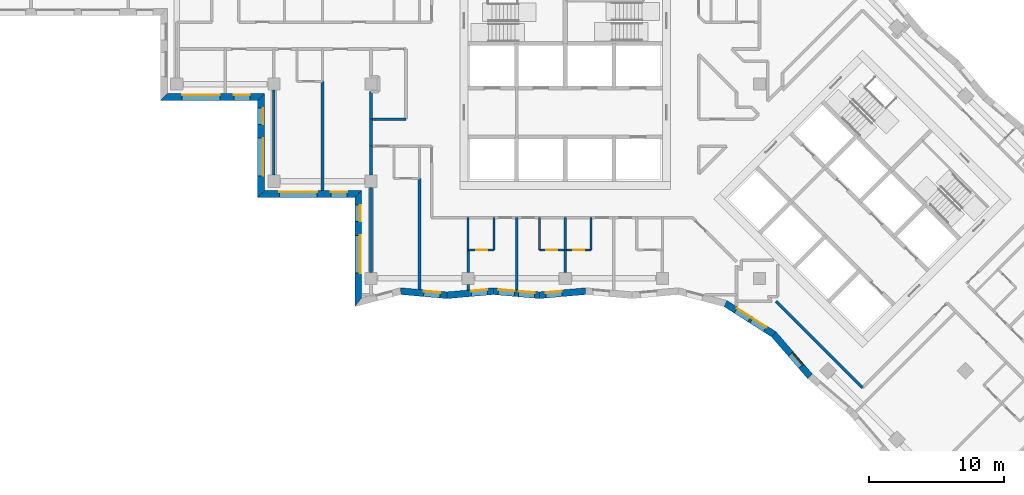
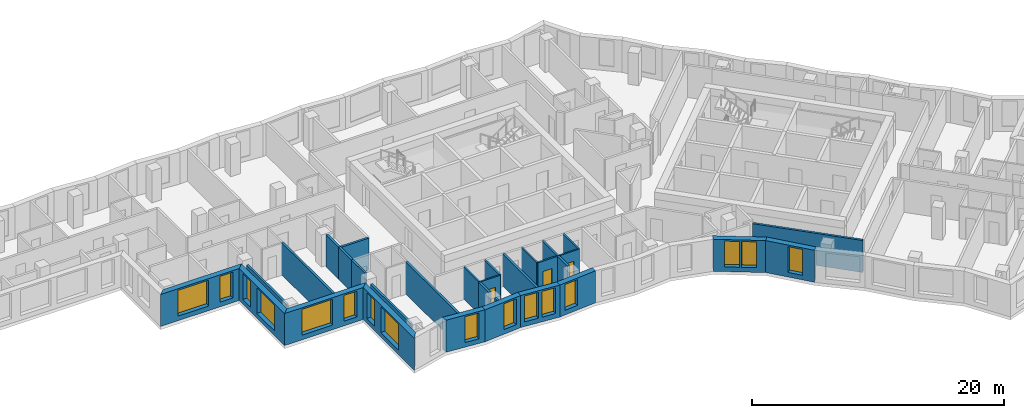
# One storey, part 2 of 12: 30 walls, 16 windows, 3 doors, 19 openings.
"""IFC4 building model written with IfcOpenShell, lengths in metres."""

from ifc_helpers import new_model, si_unit, direction, frame, frame_2d, origin, place, context, subcontext, project, spatial, polyline, rectangle, outline, extrude, material, layer, layer_set, type_object, element, fill, save


model = new_model("IFC4")

# Units and contexts
model_context = context("Model", 3, precision=1e-05, world=origin(), true_north=direction((0.0, 1.0)))
body_context = subcontext(model_context, "Body", "Model", "MODEL_VIEW")
ifc_project = project(units=[si_unit("LENGTHUNIT", "METRE"), si_unit("AREAUNIT", "SQUARE_METRE"), si_unit("VOLUMEUNIT", "CUBIC_METRE"), si_unit("PLANEANGLEUNIT", "RADIAN"), si_unit("MASSUNIT", "GRAM", prefix="KILO")], contexts=[model_context])

# Site, building, storey
site_placement = place(None, origin())
site = spatial("IfcSite", under=ifc_project, at=site_placement, CompositionType="ELEMENT")
building_placement = place(site_placement, origin())
building = spatial("IfcBuilding", under=site, at=building_placement, Name="Windrow Commons", CompositionType="ELEMENT")
storey_placement = place(building_placement, frame((0.0, 0.0, 135.4)))
storey = spatial("IfcBuildingStorey", under=building, at=storey_placement, Name="L36", CompositionType="ELEMENT", Elevation=135.4)

# Wall, openings, windows
ifc_material_1 = material(Name="Brick masonry, red clay brick", Category="masonry")
ifc_layer_1 = layer(ifc_material_1, 0.5)
ifc_layer_set_1 = layer_set([ifc_layer_1], Name="Brick facade wall 500")
wall_type_1 = type_object("IfcWallType", Name="Brick facade wall 500", PredefinedType="SOLIDWALL", material=ifc_layer_set_1)
wall_1_placement = place(storey_placement, frame((35.05, 56.65, 0.0), z_axis=(0.0, 0.0, 1.0), x_axis=(1.0, 0.0, 0.0)))
wall_1 = element("IfcWall", 1, at=wall_1_placement, inside=storey, type_object=wall_type_1, Name="Brick facade wall L36 38", PredefinedType="SOLIDWALL", context=body_context, shape_type="SweptSolid", body=[
    extrude(outline(polyline([(-0.25, -0.25), (6.95, -0.25), (7.45, 0.25), (0.25, 0.25), (-0.25, -0.25)])), origin(), (0.0, 0.0, 1.0), 3.1),
])
opening_1_placement = place(wall_1_placement, frame((1.35, 0.0, 0.45)))
opening_1 = element("IfcOpeningElement", 2, at=opening_1_placement, cuts=wall_1, Name="Opening W1U", PredefinedType="OPENING", context=body_context, shape_type="SweptSolid", body=[
    extrude(rectangle(XDim=2.8, YDim=2.5, at=frame_2d((1.4, 1.25))), frame((0.0, 0.26, 0.0), z_axis=(0.0, -1.0, 0.0), x_axis=(1.0, 0.0, 0.0)), (0.0, 0.0, 1.0), 0.52),
])
opening_2_placement = place(wall_1_placement, frame((5.175, 0.0, 0.45)))
opening_2 = element("IfcOpeningElement", 3, at=opening_2_placement, cuts=wall_1, Name="Opening W7E", PredefinedType="OPENING", context=body_context, shape_type="SweptSolid", body=[
    extrude(rectangle(XDim=1.2, YDim=2.5, at=frame_2d((0.6, 1.25))), frame((0.0, 0.26, 0.0), z_axis=(0.0, -1.0, 0.0), x_axis=(1.0, 0.0, 0.0)), (0.0, 0.0, 1.0), 0.52),
])
ifc_material_2 = material(Name="Clear float glass in anodised aluminium frame", Category="aluminium")
window_type_1 = type_object("IfcWindowType", Name="Window W1U bedroom 2800x2500", PartitioningType="SINGLE_PANEL", PredefinedType="WINDOW", material=ifc_material_2)
window_1_placement = place(opening_1_placement, origin())
window_1 = element("IfcWindow", 4, at=window_1_placement, inside=storey, type_object=window_type_1, Name="Window L36 38.1", OverallHeight=2.5, OverallWidth=2.8, PartitioningType="SINGLE_PANEL", PredefinedType="WINDOW", context=body_context, shape_type="SweptSolid", body=[
    extrude(rectangle(XDim=2.8, YDim=2.5, at=frame_2d((1.4, 1.25))), frame((0.0, 0.18, 0.0), z_axis=(0.0, -1.0, 0.0), x_axis=(1.0, 0.0, 0.0)), (0.0, 0.0, 1.0), 0.06),
])
fill(opening_1, window_1)
ifc_material_3 = material(Name="Clear float glass in anodised aluminium frame", Category="aluminium")
window_type_2 = type_object("IfcWindowType", Name="Window W7 notch 1200x2500", PartitioningType="SINGLE_PANEL", PredefinedType="WINDOW", material=ifc_material_3)
window_2_placement = place(opening_2_placement, origin())
window_2 = element("IfcWindow", 5, at=window_2_placement, inside=storey, type_object=window_type_2, Name="Window L36 38.2", OverallHeight=2.5, OverallWidth=1.2, PartitioningType="SINGLE_PANEL", PredefinedType="WINDOW", context=body_context, shape_type="SweptSolid", body=[
    extrude(rectangle(XDim=1.2, YDim=2.5, at=frame_2d((0.6, 1.25))), frame((0.0, 0.18, 0.0), z_axis=(0.0, -1.0, 0.0), x_axis=(1.0, 0.0, 0.0)), (0.0, 0.0, 1.0), 0.06),
])
fill(opening_2, window_2)

wall_2_placement = place(storey_placement, frame((42.25, 56.65, 0.0), z_axis=(0.0, 0.0, 1.0), x_axis=(0.0, -1.0, 0.0)))
wall_2 = element("IfcWall", 6, at=wall_2_placement, inside=storey, type_object=wall_type_1, Name="Brick facade wall L36 39", PredefinedType="SOLIDWALL", context=body_context, shape_type="SweptSolid", body=[
    extrude(outline(polyline([(0.25, -0.25), (7.45, -0.25), (6.95, 0.25), (-0.25, 0.25), (0.25, -0.25)])), origin(), (0.0, 0.0, 1.0), 3.1),
])
opening_3_placement = place(wall_2_placement, frame((3.05, 0.0, 0.45)))
opening_3 = element("IfcOpeningElement", 7, at=opening_3_placement, cuts=wall_2, Name="Opening W1U", PredefinedType="OPENING", context=body_context, shape_type="SweptSolid", body=[
    extrude(rectangle(XDim=2.8, YDim=2.5, at=frame_2d((1.4, 1.25))), frame((0.0, 0.26, 0.0), z_axis=(0.0, -1.0, 0.0), x_axis=(1.0, 0.0, 0.0)), (0.0, 0.0, 1.0), 0.52),
])
opening_4_placement = place(wall_2_placement, frame((0.825, 0.0, 0.45)))
opening_4 = element("IfcOpeningElement", 8, at=opening_4_placement, cuts=wall_2, Name="Opening W7E", PredefinedType="OPENING", context=body_context, shape_type="SweptSolid", body=[
    extrude(rectangle(XDim=1.2, YDim=2.5, at=frame_2d((0.6, 1.25))), frame((0.0, 0.26, 0.0), z_axis=(0.0, -1.0, 0.0), x_axis=(1.0, 0.0, 0.0)), (0.0, 0.0, 1.0), 0.52),
])
window_3_placement = place(opening_3_placement, origin())
window_3 = element("IfcWindow", 9, at=window_3_placement, inside=storey, type_object=window_type_1, Name="Window L36 39.1", OverallHeight=2.5, OverallWidth=2.8, PartitioningType="SINGLE_PANEL", PredefinedType="WINDOW", context=body_context, shape_type="SweptSolid", body=[
    extrude(rectangle(XDim=2.8, YDim=2.5, at=frame_2d((1.4, 1.25))), frame((0.0, 0.18, 0.0), z_axis=(0.0, -1.0, 0.0), x_axis=(1.0, 0.0, 0.0)), (0.0, 0.0, 1.0), 0.06),
])
fill(opening_3, window_3)
window_4_placement = place(opening_4_placement, origin())
window_4 = element("IfcWindow", 10, at=window_4_placement, inside=storey, type_object=window_type_2, Name="Window L36 39.2", OverallHeight=2.5, OverallWidth=1.2, PartitioningType="SINGLE_PANEL", PredefinedType="WINDOW", context=body_context, shape_type="SweptSolid", body=[
    extrude(rectangle(XDim=1.2, YDim=2.5, at=frame_2d((0.6, 1.25))), frame((0.0, 0.18, 0.0), z_axis=(0.0, -1.0, 0.0), x_axis=(1.0, 0.0, 0.0)), (0.0, 0.0, 1.0), 0.06),
])
fill(opening_4, window_4)

wall_3_placement = place(storey_placement, frame((42.25, 49.45, 0.0), z_axis=(0.0, 0.0, 1.0), x_axis=(1.0, 0.0, 0.0)))
wall_3 = element("IfcWall", 11, at=wall_3_placement, inside=storey, type_object=wall_type_1, Name="Brick facade wall L36 40", PredefinedType="SOLIDWALL", context=body_context, shape_type="SweptSolid", body=[
    extrude(outline(polyline([(-0.25, -0.25), (6.95, -0.25), (7.45, 0.25), (0.25, 0.25), (-0.25, -0.25)])), origin(), (0.0, 0.0, 1.0), 3.1),
])
opening_5_placement = place(wall_3_placement, frame((1.35, 0.0, 0.45)))
opening_5 = element("IfcOpeningElement", 12, at=opening_5_placement, cuts=wall_3, Name="Opening W1U", PredefinedType="OPENING", context=body_context, shape_type="SweptSolid", body=[
    extrude(rectangle(XDim=2.8, YDim=2.5, at=frame_2d((1.4, 1.25))), frame((0.0, 0.26, 0.0), z_axis=(0.0, -1.0, 0.0), x_axis=(1.0, 0.0, 0.0)), (0.0, 0.0, 1.0), 0.52),
])
opening_6_placement = place(wall_3_placement, frame((5.175, 0.0, 0.45)))
opening_6 = element("IfcOpeningElement", 13, at=opening_6_placement, cuts=wall_3, Name="Opening W7E", PredefinedType="OPENING", context=body_context, shape_type="SweptSolid", body=[
    extrude(rectangle(XDim=1.2, YDim=2.5, at=frame_2d((0.6, 1.25))), frame((0.0, 0.26, 0.0), z_axis=(0.0, -1.0, 0.0), x_axis=(1.0, 0.0, 0.0)), (0.0, 0.0, 1.0), 0.52),
])
window_5_placement = place(opening_5_placement, origin())
window_5 = element("IfcWindow", 14, at=window_5_placement, inside=storey, type_object=window_type_1, Name="Window L36 40.1", OverallHeight=2.5, OverallWidth=2.8, PartitioningType="SINGLE_PANEL", PredefinedType="WINDOW", context=body_context, shape_type="SweptSolid", body=[
    extrude(rectangle(XDim=2.8, YDim=2.5, at=frame_2d((1.4, 1.25))), frame((0.0, 0.18, 0.0), z_axis=(0.0, -1.0, 0.0), x_axis=(1.0, 0.0, 0.0)), (0.0, 0.0, 1.0), 0.06),
])
fill(opening_5, window_5)
window_6_placement = place(opening_6_placement, origin())
window_6 = element("IfcWindow", 15, at=window_6_placement, inside=storey, type_object=window_type_2, Name="Window L36 40.2", OverallHeight=2.5, OverallWidth=1.2, PartitioningType="SINGLE_PANEL", PredefinedType="WINDOW", context=body_context, shape_type="SweptSolid", body=[
    extrude(rectangle(XDim=1.2, YDim=2.5, at=frame_2d((0.6, 1.25))), frame((0.0, 0.18, 0.0), z_axis=(0.0, -1.0, 0.0), x_axis=(1.0, 0.0, 0.0)), (0.0, 0.0, 1.0), 0.06),
])
fill(opening_6, window_6)

wall_4_placement = place(storey_placement, frame((49.45, 49.45, 0.0), z_axis=(0.0, 0.0, 1.0), x_axis=(0.0, -1.0, 0.0)))
wall_4 = element("IfcWall", 16, at=wall_4_placement, inside=storey, type_object=wall_type_1, Name="Brick facade wall L36 41", PredefinedType="SOLIDWALL", context=body_context, shape_type="SweptSolid", body=[
    extrude(outline(polyline([(0.25, -0.25), (8.35, -0.25), (7.7015, 0.25), (-0.25, 0.25), (0.25, -0.25)])), origin(), (0.0, 0.0, 1.0), 3.1),
])
opening_7_placement = place(wall_4_placement, frame((3.05, 0.0, 0.45)))
opening_7 = element("IfcOpeningElement", 17, at=opening_7_placement, cuts=wall_4, Name="Opening W1U", PredefinedType="OPENING", context=body_context, shape_type="SweptSolid", body=[
    extrude(rectangle(XDim=2.8, YDim=2.5, at=frame_2d((1.4, 1.25))), frame((0.0, 0.26, 0.0), z_axis=(0.0, -1.0, 0.0), x_axis=(1.0, 0.0, 0.0)), (0.0, 0.0, 1.0), 0.52),
])
opening_8_placement = place(wall_4_placement, frame((0.825, 0.0, 0.45)))
opening_8 = element("IfcOpeningElement", 18, at=opening_8_placement, cuts=wall_4, Name="Opening W7E", PredefinedType="OPENING", context=body_context, shape_type="SweptSolid", body=[
    extrude(rectangle(XDim=1.2, YDim=2.5, at=frame_2d((0.6, 1.25))), frame((0.0, 0.26, 0.0), z_axis=(0.0, -1.0, 0.0), x_axis=(1.0, 0.0, 0.0)), (0.0, 0.0, 1.0), 0.52),
])
window_7_placement = place(opening_7_placement, origin())
window_7 = element("IfcWindow", 19, at=window_7_placement, inside=storey, type_object=window_type_1, Name="Window L36 41.1", OverallHeight=2.5, OverallWidth=2.8, PartitioningType="SINGLE_PANEL", PredefinedType="WINDOW", context=body_context, shape_type="SweptSolid", body=[
    extrude(rectangle(XDim=2.8, YDim=2.5, at=frame_2d((1.4, 1.25))), frame((0.0, 0.18, 0.0), z_axis=(0.0, -1.0, 0.0), x_axis=(1.0, 0.0, 0.0)), (0.0, 0.0, 1.0), 0.06),
])
fill(opening_7, window_7)
window_8_placement = place(opening_8_placement, origin())
window_8 = element("IfcWindow", 20, at=window_8_placement, inside=storey, type_object=window_type_2, Name="Window L36 41.2", OverallHeight=2.5, OverallWidth=1.2, PartitioningType="SINGLE_PANEL", PredefinedType="WINDOW", context=body_context, shape_type="SweptSolid", body=[
    extrude(rectangle(XDim=1.2, YDim=2.5, at=frame_2d((0.6, 1.25))), frame((0.0, 0.18, 0.0), z_axis=(0.0, -1.0, 0.0), x_axis=(1.0, 0.0, 0.0)), (0.0, 0.0, 1.0), 0.06),
])
fill(opening_8, window_8)

# Wall, opening, window
wall_5_placement = place(storey_placement, frame((52.6014, 42.2528, 0.0), z_axis=(0.0, 0.0, 1.0), x_axis=(0.9961832879, -0.0872860633, 0.0)))
wall_5 = element("IfcWall", 21, at=wall_5_placement, inside=storey, type_object=wall_type_1, Name="Brick facade wall L36 43", PredefinedType="SOLIDWALL", context=body_context, shape_type="SweptSolid", body=[
    extrude(outline(polyline([(0.0435, -0.25), (3.4795, -0.25), (3.4357, 0.25), (-0.0435, 0.25), (0.0435, -0.25)])), origin(), (0.0, 0.0, 1.0), 3.1),
])
opening_9_placement = place(wall_5_placement, frame((1.7198, 0.0, 0.45)))
opening_9 = element("IfcOpeningElement", 22, at=opening_9_placement, cuts=wall_5, Name="Opening W7E", PredefinedType="OPENING", context=body_context, shape_type="SweptSolid", body=[
    extrude(rectangle(XDim=1.2, YDim=2.5, at=frame_2d((0.6, 1.25))), frame((0.0, 0.26, 0.0), z_axis=(0.0, -1.0, 0.0), x_axis=(1.0, 0.0, 0.0)), (0.0, 0.0, 1.0), 0.52),
])
window_9_placement = place(opening_9_placement, origin())
window_9 = element("IfcWindow", 23, at=window_9_placement, inside=storey, type_object=window_type_2, Name="Window L36 43.1", OverallHeight=2.5, OverallWidth=1.2, PartitioningType="SINGLE_PANEL", PredefinedType="WINDOW", context=body_context, shape_type="SweptSolid", body=[
    extrude(rectangle(XDim=1.2, YDim=2.5, at=frame_2d((0.6, 1.25))), frame((0.0, 0.18, 0.0), z_axis=(0.0, -1.0, 0.0), x_axis=(1.0, 0.0, 0.0)), (0.0, 0.0, 1.0), 0.06),
])
fill(opening_9, window_9)

wall_6_placement = place(storey_placement, frame((56.0458, 41.951, 0.0), z_axis=(0.0, 0.0, 1.0), x_axis=(0.996181166, 0.0873102778, 0.0)))
wall_6 = element("IfcWall", 24, at=wall_6_placement, inside=storey, type_object=wall_type_1, Name="Brick facade wall L36 44", PredefinedType="SOLIDWALL", context=body_context, shape_type="SweptSolid", body=[
    extrude(outline(polyline([(-0.0219, -0.25), (3.4141, -0.25), (3.4579, 0.25), (0.0219, 0.25), (-0.0219, -0.25)])), origin(), (0.0, 0.0, 1.0), 3.1),
])
opening_10_placement = place(wall_6_placement, frame((1.7981, 0.0, 0.45)))
opening_10 = element("IfcOpeningElement", 25, at=opening_10_placement, cuts=wall_6, Name="Opening W7E", PredefinedType="OPENING", context=body_context, shape_type="SweptSolid", body=[
    extrude(rectangle(XDim=1.2, YDim=2.5, at=frame_2d((0.6, 1.25))), frame((0.0, 0.26, 0.0), z_axis=(0.0, -1.0, 0.0), x_axis=(1.0, 0.0, 0.0)), (0.0, 0.0, 1.0), 0.52),
])
window_10_placement = place(opening_10_placement, origin())
window_10 = element("IfcWindow", 26, at=window_10_placement, inside=storey, type_object=window_type_2, Name="Window L36 44.1", OverallHeight=2.5, OverallWidth=1.2, PartitioningType="SINGLE_PANEL", PredefinedType="WINDOW", context=body_context, shape_type="SweptSolid", body=[
    extrude(rectangle(XDim=1.2, YDim=2.5, at=frame_2d((0.6, 1.25))), frame((0.0, 0.18, 0.0), z_axis=(0.0, -1.0, 0.0), x_axis=(1.0, 0.0, 0.0)), (0.0, 0.0, 1.0), 0.06),
])
fill(opening_10, window_10)

# Wall, openings, windows
wall_7_placement = place(storey_placement, frame((59.4687, 42.251, 0.0), z_axis=(0.0, 0.0, 1.0), x_axis=(0.996181166, -0.0873102778, 0.0)))
wall_7 = element("IfcWall", 27, at=wall_7_placement, inside=storey, type_object=wall_type_1, Name="Brick facade wall L36 45", PredefinedType="SOLIDWALL", context=body_context, shape_type="SweptSolid", body=[
    extrude(outline(polyline([(0.0219, -0.25), (3.4579, -0.25), (3.4141, 0.25), (-0.0219, 0.25), (0.0219, -0.25)])), origin(), (0.0, 0.0, 1.0), 3.1),
])
opening_11_placement = place(wall_7_placement, frame((0.369, 0.0, 0.45)))
opening_11 = element("IfcOpeningElement", 28, at=opening_11_placement, cuts=wall_7, Name="Opening W7E", PredefinedType="OPENING", context=body_context, shape_type="SweptSolid", body=[
    extrude(rectangle(XDim=1.2, YDim=2.5, at=frame_2d((0.6, 1.25))), frame((0.0, 0.26, 0.0), z_axis=(0.0, -1.0, 0.0), x_axis=(1.0, 0.0, 0.0)), (0.0, 0.0, 1.0), 0.52),
])
opening_12_placement = place(wall_7_placement, frame((1.876, 0.0, 0.45)))
opening_12 = element("IfcOpeningElement", 29, at=opening_12_placement, cuts=wall_7, Name="Opening W7E", PredefinedType="OPENING", context=body_context, shape_type="SweptSolid", body=[
    extrude(rectangle(XDim=1.2, YDim=2.5, at=frame_2d((0.6, 1.25))), frame((0.0, 0.26, 0.0), z_axis=(0.0, -1.0, 0.0), x_axis=(1.0, 0.0, 0.0)), (0.0, 0.0, 1.0), 0.52),
])
window_11_placement = place(opening_11_placement, origin())
window_11 = element("IfcWindow", 30, at=window_11_placement, inside=storey, type_object=window_type_2, Name="Window L36 45.1", OverallHeight=2.5, OverallWidth=1.2, PartitioningType="SINGLE_PANEL", PredefinedType="WINDOW", context=body_context, shape_type="SweptSolid", body=[
    extrude(rectangle(XDim=1.2, YDim=2.5, at=frame_2d((0.6, 1.25))), frame((0.0, 0.18, 0.0), z_axis=(0.0, -1.0, 0.0), x_axis=(1.0, 0.0, 0.0)), (0.0, 0.0, 1.0), 0.06),
])
fill(opening_11, window_11)
window_12_placement = place(opening_12_placement, origin())
window_12 = element("IfcWindow", 31, at=window_12_placement, inside=storey, type_object=window_type_2, Name="Window L36 45.2", OverallHeight=2.5, OverallWidth=1.2, PartitioningType="SINGLE_PANEL", PredefinedType="WINDOW", context=body_context, shape_type="SweptSolid", body=[
    extrude(rectangle(XDim=1.2, YDim=2.5, at=frame_2d((0.6, 1.25))), frame((0.0, 0.18, 0.0), z_axis=(0.0, -1.0, 0.0), x_axis=(1.0, 0.0, 0.0)), (0.0, 0.0, 1.0), 0.06),
])
fill(opening_12, window_12)

# Wall, opening, window
wall_8_placement = place(storey_placement, frame((62.8916, 41.951, 0.0), z_axis=(0.0, 0.0, 1.0), x_axis=(0.9961809441, 0.0873128092, 0.0)))
wall_8 = element("IfcWall", 32, at=wall_8_placement, inside=storey, type_object=wall_type_1, Name="Brick facade wall L36 46", PredefinedType="SOLIDWALL", context=body_context, shape_type="SweptSolid", body=[
    extrude(outline(polyline([(-0.0219, -0.25), (3.4141, -0.25), (3.4579, 0.25), (0.0219, 0.25), (-0.0219, -0.25)])), origin(), (0.0, 0.0, 1.0), 3.1),
])
opening_13_placement = place(wall_8_placement, frame((0.4688, 0.0, 0.45)))
opening_13 = element("IfcOpeningElement", 33, at=opening_13_placement, cuts=wall_8, Name="Opening W7E", PredefinedType="OPENING", context=body_context, shape_type="SweptSolid", body=[
    extrude(rectangle(XDim=1.2, YDim=2.5, at=frame_2d((0.6, 1.25))), frame((0.0, 0.26, 0.0), z_axis=(0.0, -1.0, 0.0), x_axis=(1.0, 0.0, 0.0)), (0.0, 0.0, 1.0), 0.52),
])
window_13_placement = place(opening_13_placement, origin())
window_13 = element("IfcWindow", 34, at=window_13_placement, inside=storey, type_object=window_type_2, Name="Window L36 46.1", OverallHeight=2.5, OverallWidth=1.2, PartitioningType="SINGLE_PANEL", PredefinedType="WINDOW", context=body_context, shape_type="SweptSolid", body=[
    extrude(rectangle(XDim=1.2, YDim=2.5, at=frame_2d((0.6, 1.25))), frame((0.0, 0.18, 0.0), z_axis=(0.0, -1.0, 0.0), x_axis=(1.0, 0.0, 0.0)), (0.0, 0.0, 1.0), 0.06),
])
fill(opening_13, window_13)

# Wall, openings, windows
wall_9_placement = place(storey_placement, frame((76.6845, 41.3318, 0.0), z_axis=(0.0, 0.0, 1.0), x_axis=(0.8431951323, -0.5376076347, 0.0)))
wall_9 = element("IfcWall", 35, at=wall_9_placement, inside=storey, type_object=wall_type_1, Name="Brick facade wall L36 50", PredefinedType="SOLIDWALL", context=body_context, shape_type="SweptSolid", body=[
    extrude(outline(polyline([(0.0391, -0.25), (4.2043, -0.25), (4.2777, 0.25), (-0.0391, 0.25), (0.0391, -0.25)])), origin(), (0.0, 0.0, 1.0), 3.1),
])
opening_14_placement = place(wall_9_placement, frame((0.917, 0.0, 0.45)))
opening_14 = element("IfcOpeningElement", 36, at=opening_14_placement, cuts=wall_9, Name="Opening W7E", PredefinedType="OPENING", context=body_context, shape_type="SweptSolid", body=[
    extrude(rectangle(XDim=1.2, YDim=2.5, at=frame_2d((0.6, 1.25))), frame((0.0, 0.26, 0.0), z_axis=(0.0, -1.0, 0.0), x_axis=(1.0, 0.0, 0.0)), (0.0, 0.0, 1.0), 0.52),
])
opening_15_placement = place(wall_9_placement, frame((2.2875, 0.0, 0.45)))
opening_15 = element("IfcOpeningElement", 37, at=opening_15_placement, cuts=wall_9, Name="Opening W7E", PredefinedType="OPENING", context=body_context, shape_type="SweptSolid", body=[
    extrude(rectangle(XDim=1.2, YDim=2.5, at=frame_2d((0.6, 1.25))), frame((0.0, 0.26, 0.0), z_axis=(0.0, -1.0, 0.0), x_axis=(1.0, 0.0, 0.0)), (0.0, 0.0, 1.0), 0.52),
])
window_14_placement = place(opening_14_placement, origin())
window_14 = element("IfcWindow", 38, at=window_14_placement, inside=storey, type_object=window_type_2, Name="Window L36 50.1", OverallHeight=2.5, OverallWidth=1.2, PartitioningType="SINGLE_PANEL", PredefinedType="WINDOW", context=body_context, shape_type="SweptSolid", body=[
    extrude(rectangle(XDim=1.2, YDim=2.5, at=frame_2d((0.6, 1.25))), frame((0.0, 0.18, 0.0), z_axis=(0.0, -1.0, 0.0), x_axis=(1.0, 0.0, 0.0)), (0.0, 0.0, 1.0), 0.06),
])
fill(opening_14, window_14)
window_15_placement = place(opening_15_placement, origin())
window_15 = element("IfcWindow", 39, at=window_15_placement, inside=storey, type_object=window_type_2, Name="Window L36 50.2", OverallHeight=2.5, OverallWidth=1.2, PartitioningType="SINGLE_PANEL", PredefinedType="WINDOW", context=body_context, shape_type="SweptSolid", body=[
    extrude(rectangle(XDim=1.2, YDim=2.5, at=frame_2d((0.6, 1.25))), frame((0.0, 0.18, 0.0), z_axis=(0.0, -1.0, 0.0), x_axis=(1.0, 0.0, 0.0)), (0.0, 0.0, 1.0), 0.06),
])
fill(opening_15, window_15)

# Wall, opening, window
wall_10_placement = place(storey_placement, frame((80.2605, 39.0518, 0.0), z_axis=(0.0, 0.0, 1.0), x_axis=(0.6531786437, -0.7572038427, 0.0)))
wall_10 = element("IfcWall", 40, at=wall_10_placement, inside=storey, type_object=wall_type_1, Name="Brick facade wall L36 51", PredefinedType="SOLIDWALL", context=body_context, shape_type="SweptSolid", body=[
    extrude(outline(polyline([(0.0367, -0.25), (4.1145, -0.25), (4.0777, 0.25), (-0.0367, 0.25), (0.0367, -0.25)])), origin(), (0.0, 0.0, 1.0), 3.1),
])
opening_16_placement = place(wall_10_placement, frame((1.9165, 0.0, 0.45)))
opening_16 = element("IfcOpeningElement", 41, at=opening_16_placement, cuts=wall_10, Name="Opening W7E", PredefinedType="OPENING", context=body_context, shape_type="SweptSolid", body=[
    extrude(rectangle(XDim=1.2, YDim=2.5, at=frame_2d((0.6, 1.25))), frame((0.0, 0.26, 0.0), z_axis=(0.0, -1.0, 0.0), x_axis=(1.0, 0.0, 0.0)), (0.0, 0.0, 1.0), 0.52),
])
window_16_placement = place(opening_16_placement, origin())
window_16 = element("IfcWindow", 42, at=window_16_placement, inside=storey, type_object=window_type_2, Name="Window L36 51.1", OverallHeight=2.5, OverallWidth=1.2, PartitioningType="SINGLE_PANEL", PredefinedType="WINDOW", context=body_context, shape_type="SweptSolid", body=[
    extrude(rectangle(XDim=1.2, YDim=2.5, at=frame_2d((0.6, 1.25))), frame((0.0, 0.18, 0.0), z_axis=(0.0, -1.0, 0.0), x_axis=(1.0, 0.0, 0.0)), (0.0, 0.0, 1.0), 0.06),
])
fill(opening_16, window_16)

# Walls
ifc_material_4 = material(Name="Blockwork partition", Category="masonry")
ifc_layer_2 = layer(ifc_material_4, 0.2)
ifc_layer_set_2 = layer_set([ifc_layer_2], Name="IW-CORRIDOR-200")
wall_type_2 = type_object("IfcWallType", Name="IW-CORRIDOR-200", PredefinedType="PARTITIONING", material=ifc_layer_set_2)
wall_11_placement = place(storey_placement, frame((80.4227, 41.4967, 0.0), z_axis=(0.0, 0.0, 1.0), x_axis=(0.7071067812, -0.7071067812, 0.0)))
element("IfcWall", 43, at=wall_11_placement, inside=storey, type_object=wall_type_2, Name="W-L36-W009", PredefinedType="PARTITIONING", context=body_context, shape_type="SweptSolid", body=[
    extrude(rectangle(XDim=9.0651, YDim=0.2, at=frame_2d((4.5325, 0.0))), origin(), (0.0, 0.0, 1.0), 3.1),
])
wall_12_placement = place(storey_placement, frame((50.4, 55.0, 0.0), z_axis=(0.0, 0.0, 1.0), x_axis=(1.0, 0.0, 0.0)))
element("IfcWall", 44, at=wall_12_placement, inside=storey, type_object=wall_type_2, Name="W-L36-W058", PredefinedType="PARTITIONING", context=body_context, shape_type="SweptSolid", body=[
    extrude(rectangle(XDim=2.6, YDim=0.2, at=frame_2d((1.3, 0.0))), origin(), (0.0, 0.0, 1.0), 3.1),
])
wall_13_placement = place(storey_placement, frame((50.4, 53.0, 0.0), z_axis=(0.0, 0.0, 1.0), x_axis=(0.0, 1.0, 0.0)))
element("IfcWall", 45, at=wall_13_placement, inside=storey, type_object=wall_type_2, Name="W-L36-W108", PredefinedType="PARTITIONING", context=body_context, shape_type="SweptSolid", body=[
    extrude(rectangle(XDim=2.0, YDim=0.2, at=frame_2d((1.0, 0.0))), origin(), (0.0, 0.0, 1.0), 3.1),
])

# Wall, openings, doors
ifc_material_5 = material(Name="Blockwork partition", Category="masonry")
ifc_layer_3 = layer(ifc_material_5, 0.15)
ifc_layer_set_3 = layer_set([ifc_layer_3], Name="IW-ENSUITE-150")
wall_type_3 = type_object("IfcWallType", Name="IW-ENSUITE-150", PredefinedType="PARTITIONING", material=ifc_layer_set_3)
wall_14_placement = place(storey_placement, frame((62.9, 45.3, 0.0), z_axis=(0.0, 0.0, 1.0), x_axis=(1.0, 0.0, 0.0)))
wall_14 = element("IfcWall", 46, at=wall_14_placement, inside=storey, type_object=wall_type_3, Name="W-L36-W045", PredefinedType="PARTITIONING", context=body_context, shape_type="SweptSolid", body=[
    extrude(rectangle(XDim=3.8, YDim=0.15, at=frame_2d((1.9, 0.0))), origin(), (0.0, 0.0, 1.0), 3.1),
])
opening_17_placement = place(wall_14_placement, frame((2.5069, 0.0, 0.0)))
opening_17 = element("IfcOpeningElement", 47, at=opening_17_placement, cuts=wall_14, Name="Opening D208N", PredefinedType="OPENING", context=body_context, shape_type="SweptSolid", body=[
    extrude(rectangle(XDim=0.8, YDim=2.1, at=frame_2d((0.4, 1.05))), frame((0.0, 0.085, 0.0), z_axis=(0.0, -1.0, 0.0), x_axis=(1.0, 0.0, 0.0)), (0.0, 0.0, 1.0), 0.17),
])
opening_18_placement = place(wall_14_placement, frame((0.4931, 0.0, 0.0)))
opening_18 = element("IfcOpeningElement", 48, at=opening_18_placement, cuts=wall_14, Name="Opening D208N", PredefinedType="OPENING", context=body_context, shape_type="SweptSolid", body=[
    extrude(rectangle(XDim=0.8, YDim=2.1, at=frame_2d((0.4, 1.05))), frame((0.0, 0.085, 0.0), z_axis=(0.0, -1.0, 0.0), x_axis=(1.0, 0.0, 0.0)), (0.0, 0.0, 1.0), 0.17),
])
ifc_material_6 = material(Name="Timber door leaf", Category="wood")
door_type = type_object("IfcDoorType", Name="DT-ENSUITE-800", OperationType="SINGLE_SWING_LEFT", PredefinedType="DOOR", material=ifc_material_6)
door_1_placement = place(opening_17_placement, origin())
door_1 = element("IfcDoor", 49, at=door_1_placement, inside=storey, type_object=door_type, Name="D-L36-D030", OperationType="SINGLE_SWING_RIGHT", OverallHeight=2.1, OverallWidth=0.8, PredefinedType="DOOR", context=body_context, shape_type="SweptSolid", body=[
    extrude(rectangle(XDim=0.8, YDim=2.1, at=frame_2d((0.4, 1.05))), frame((0.0, 0.025, 0.0), z_axis=(0.0, -1.0, 0.0), x_axis=(1.0, 0.0, 0.0)), (0.0, 0.0, 1.0), 0.05),
])
fill(opening_17, door_1)
door_2_placement = place(opening_18_placement, origin())
door_2 = element("IfcDoor", 50, at=door_2_placement, inside=storey, type_object=door_type, Name="D-L36-D034", OperationType="SINGLE_SWING_RIGHT", OverallHeight=2.1, OverallWidth=0.8, PredefinedType="DOOR", context=body_context, shape_type="SweptSolid", body=[
    extrude(rectangle(XDim=0.8, YDim=2.1, at=frame_2d((0.4, 1.05))), frame((0.0, 0.025, 0.0), z_axis=(0.0, -1.0, 0.0), x_axis=(1.0, 0.0, 0.0)), (0.0, 0.0, 1.0), 0.05),
])
fill(opening_18, door_2)

# Walls
for number, where, z_axis, x_axis, name in (
    (51, (59.5, 45.3, 0.0), (0.0, 0.0, 1.0), (0.0, 1.0, 0.0), "W-L36-W067"),
    (52, (57.6, 45.3, 0.0), (0.0, 0.0, 1.0), (0.0, 1.0, 0.0), "W-L36-W068"),
    (53, (62.9, 45.3, 0.0), (0.0, 0.0, 1.0), (0.0, 1.0, 0.0), "W-L36-W069"),
    (54, (66.7, 45.3, 0.0), (0.0, 0.0, 1.0), (0.0, 1.0, 0.0), "W-L36-W070"),
    (55, (64.8, 45.3, 0.0), (0.0, 0.0, 1.0), (0.0, 1.0, 0.0), "W-L36-W071"),
):
    element("IfcWall", number, at=place(storey_placement, frame(where, z_axis=z_axis, x_axis=x_axis)), inside=storey, type_object=wall_type_3, Name=name, PredefinedType="PARTITIONING", context=body_context, shape_type="SweptSolid", body=[
        extrude(rectangle(XDim=2.4, YDim=0.15, at=frame_2d((1.2, 0.0))), origin(), (0.0, 0.0, 1.0), 3.1),
    ])

# Wall, opening, door
wall_15_placement = place(storey_placement, frame((57.6, 45.3, 0.0), z_axis=(0.0, 0.0, 1.0), x_axis=(1.0, 0.0, 0.0)))
wall_15 = element("IfcWall", 56, at=wall_15_placement, inside=storey, type_object=wall_type_3, Name="W-L36-W124", PredefinedType="PARTITIONING", context=body_context, shape_type="SweptSolid", body=[
    extrude(rectangle(XDim=1.9, YDim=0.15, at=frame_2d((0.95, 0.0))), origin(), (0.0, 0.0, 1.0), 3.1),
])
opening_19_placement = place(wall_15_placement, frame((0.6069, 0.0, 0.0)))
opening_19 = element("IfcOpeningElement", 57, at=opening_19_placement, cuts=wall_15, Name="Opening D208N", PredefinedType="OPENING", context=body_context, shape_type="SweptSolid", body=[
    extrude(rectangle(XDim=0.8, YDim=2.1, at=frame_2d((0.4, 1.05))), frame((0.0, 0.085, 0.0), z_axis=(0.0, -1.0, 0.0), x_axis=(1.0, 0.0, 0.0)), (0.0, 0.0, 1.0), 0.17),
])
door_3_placement = place(opening_19_placement, origin())
door_3 = element("IfcDoor", 58, at=door_3_placement, inside=storey, type_object=door_type, Name="D-L36-D028", OperationType="SINGLE_SWING_RIGHT", OverallHeight=2.1, OverallWidth=0.8, PredefinedType="DOOR", context=body_context, shape_type="SweptSolid", body=[
    extrude(rectangle(XDim=0.8, YDim=2.1, at=frame_2d((0.4, 1.05))), frame((0.0, 0.025, 0.0), z_axis=(0.0, -1.0, 0.0), x_axis=(1.0, 0.0, 0.0)), (0.0, 0.0, 1.0), 0.05),
])
fill(opening_19, door_3)

# Walls
ifc_material_7 = material(Name="Blockwork partition", Category="masonry")
ifc_layer_4 = layer(ifc_material_7, 0.2)
ifc_layer_set_4 = layer_set([ifc_layer_4], Name="IW-PARTY-200")
wall_type_4 = type_object("IfcWallType", Name="IW-PARTY-200", PredefinedType="PARTITIONING", material=ifc_layer_set_4)
wall_16_placement = place(storey_placement, frame((54.0, 42.3812, 0.0), z_axis=(0.0, 0.0, 1.0), x_axis=(0.0, 1.0, 0.0)))
element("IfcWall", 59, at=wall_16_placement, inside=storey, type_object=wall_type_4, Name="W-L36-W015", PredefinedType="PARTITIONING", context=body_context, shape_type="SweptSolid", body=[
    extrude(rectangle(XDim=8.2188, YDim=0.2, at=frame_2d((4.1094, 0.0))), origin(), (0.0, 0.0, 1.0), 3.1),
])
wall_17_placement = place(storey_placement, frame((46.8, 49.7, 0.0), z_axis=(0.0, 0.0, 1.0), x_axis=(0.0, 1.0, 0.0)))
element("IfcWall", 60, at=wall_17_placement, inside=storey, type_object=wall_type_4, Name="W-L36-W020", PredefinedType="PARTITIONING", context=body_context, shape_type="SweptSolid", body=[
    extrude(rectangle(XDim=8.1, YDim=0.2, at=frame_2d((4.05, 0.0))), origin(), (0.0, 0.0, 1.0), 3.1),
])
for number, where, z_axis, x_axis, name in (
    (61, (50.4, 43.65, 0.0), (0.0, 0.0, 1.0), (0.0, 1.0, 0.0), "W-L36-W021"),
    (62, (43.2, 50.85, 0.0), (0.0, 0.0, 1.0), (0.0, 1.0, 0.0), "W-L36-W024"),
):
    element("IfcWall", number, at=place(storey_placement, frame(where, z_axis=z_axis, x_axis=x_axis)), inside=storey, type_object=wall_type_4, Name=name, PredefinedType="PARTITIONING", context=body_context, shape_type="SweptSolid", body=[
        extrude(rectangle(XDim=6.3, YDim=0.2, at=frame_2d((3.15, 0.0))), origin(), (0.0, 0.0, 1.0), 2.6),
    ])
wall_18_placement = place(storey_placement, frame((61.2, 42.3502, 0.0), z_axis=(0.0, 0.0, 1.0), x_axis=(0.0, 1.0, 0.0)))
element("IfcWall", 63, at=wall_18_placement, inside=storey, type_object=wall_type_4, Name="W-L36-W031", PredefinedType="PARTITIONING", context=body_context, shape_type="SweptSolid", body=[
    extrude(rectangle(XDim=5.3498, YDim=0.2, at=frame_2d((2.6749, 0.0))), origin(), (0.0, 0.0, 1.0), 3.1),
])
wall_19_placement = place(storey_placement, frame((50.4, 50.85, 0.0), z_axis=(0.0, 0.0, 1.0), x_axis=(0.0, 1.0, 0.0)))
element("IfcWall", 64, at=wall_19_placement, inside=storey, type_object=wall_type_4, Name="W-L36-W099", PredefinedType="PARTITIONING", context=body_context, shape_type="SweptSolid", body=[
    extrude(rectangle(XDim=2.15, YDim=0.2, at=frame_2d((1.075, 0.0))), origin(), (0.0, 0.0, 1.0), 3.1),
])
wall_20_placement = place(storey_placement, frame((50.4, 55.0, 0.0), z_axis=(0.0, 0.0, 1.0), x_axis=(0.0, 1.0, 0.0)))
element("IfcWall", 65, at=wall_20_placement, inside=storey, type_object=wall_type_4, Name="W-L36-W104", PredefinedType="PARTITIONING", context=body_context, shape_type="SweptSolid", body=[
    extrude(rectangle(XDim=2.044, YDim=0.2, at=frame_2d((1.022, 0.0))), origin(), (0.0, 0.0, 1.0), 3.1),
])
for number, where, z_axis, x_axis, name in (
    (66, (57.6, 43.65, 0.0), (0.0, 0.0, 1.0), (0.0, 1.0, 0.0), "W-L36-W137"),
    (67, (64.8, 43.65, 0.0), (0.0, 0.0, 1.0), (0.0, 1.0, 0.0), "W-L36-W138"),
):
    element("IfcWall", number, at=place(storey_placement, frame(where, z_axis=z_axis, x_axis=x_axis)), inside=storey, type_object=wall_type_4, Name=name, PredefinedType="PARTITIONING", context=body_context, shape_type="SweptSolid", body=[
        extrude(rectangle(XDim=1.65, YDim=0.2, at=frame_2d((0.825, 0.0))), origin(), (0.0, 0.0, 1.0), 3.1),
    ])
wall_21_placement = place(storey_placement, frame((57.6, 42.3381, 0.0), z_axis=(0.0, 0.0, 1.0), x_axis=(0.0, 1.0, 0.0)))
element("IfcWall", 68, at=wall_21_placement, inside=storey, type_object=wall_type_4, Name="W-L36-W179", PredefinedType="PARTITIONING", context=body_context, shape_type="SweptSolid", body=[
    extrude(rectangle(XDim=0.4119, YDim=0.2, at=frame_2d((0.2059, 0.0))), origin(), (0.0, 0.0, 1.0), 3.1),
])

save(model, "model.ifc")
